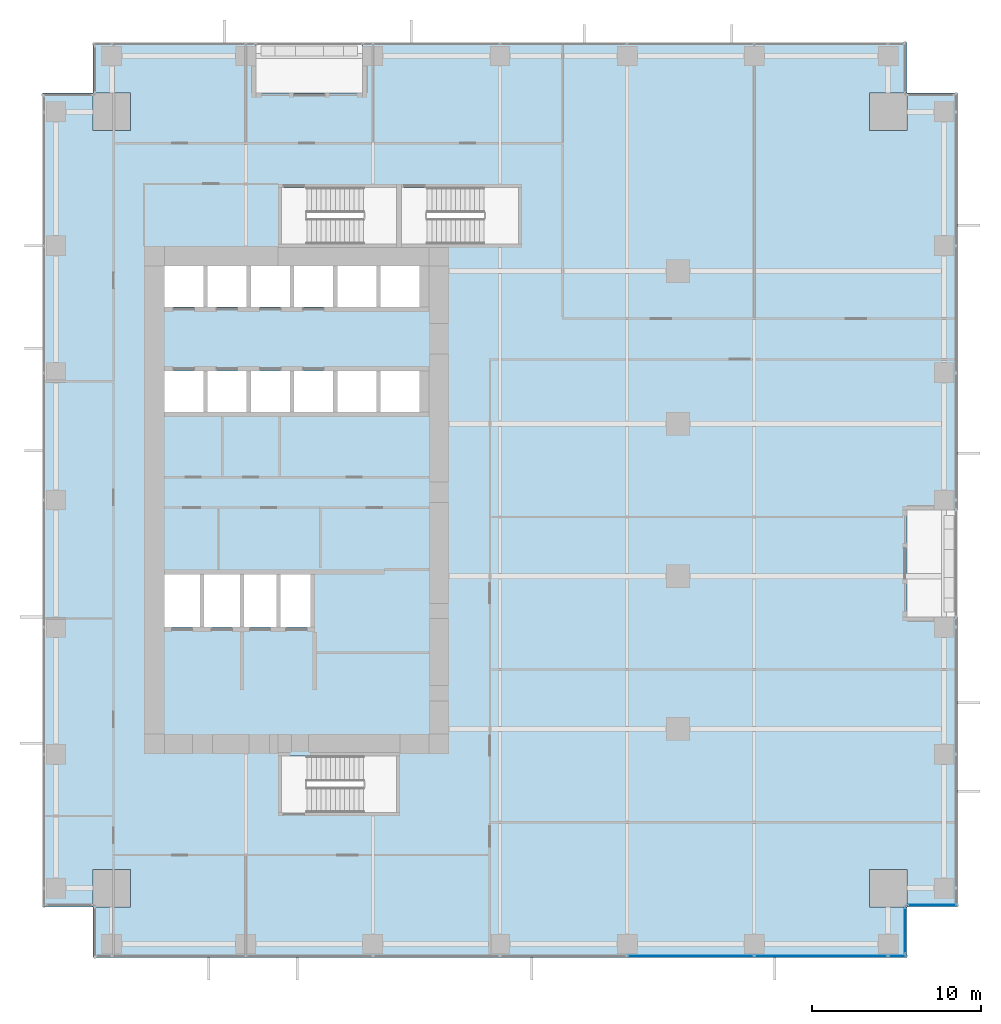
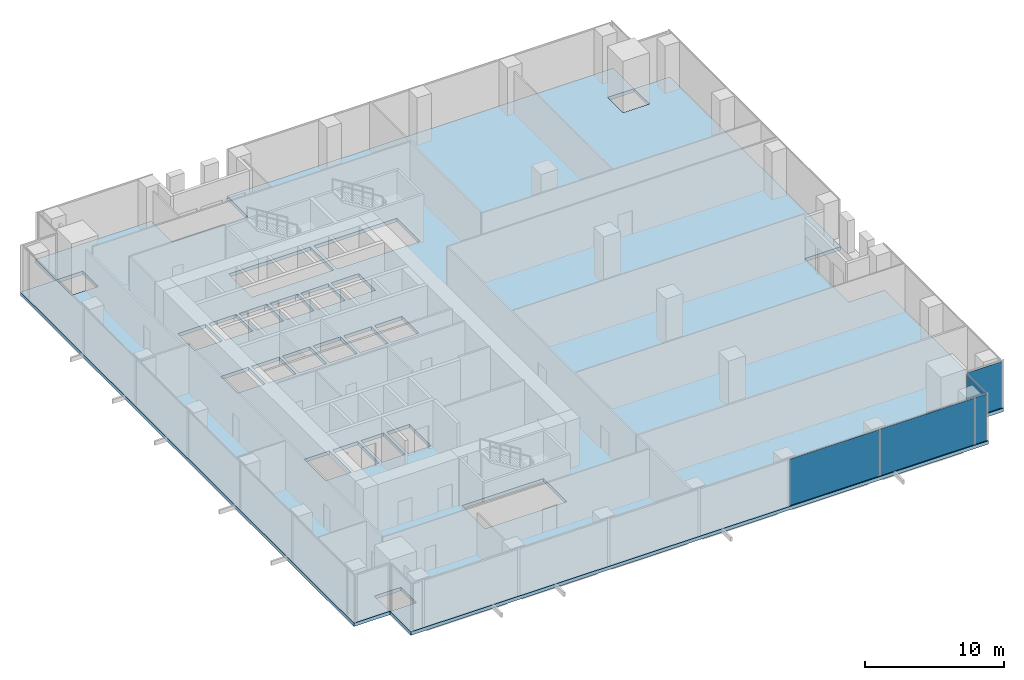
# One storey, part 22 of 32: 5 plates, 1 slab, 3 elements without a shape of their own.
"""IFC4 building model written with IfcOpenShell, lengths in metres."""

from ifc_helpers import new_model, si_unit, direction, frame, origin, origin_2d, place, context, subcontext, project, spatial, polyline, rectangle, outline, extrude, source, transform, mapped, material, layer, layer_set, type_object, element, aggregate, save


model = new_model("IFC4")

# Units and contexts
model_context = context("Model", 3, precision=1e-05, world=origin(), true_north=direction((0.0, 1.0)))
body_context = subcontext(model_context, "Body", "Model", "MODEL_VIEW")
ifc_project = project(units=[si_unit("LENGTHUNIT", "METRE"), si_unit("AREAUNIT", "SQUARE_METRE"), si_unit("VOLUMEUNIT", "CUBIC_METRE"), si_unit("PLANEANGLEUNIT", "RADIAN"), si_unit("MASSUNIT", "GRAM", prefix="KILO")], contexts=[model_context])

# Site, building, storey
site_placement = place(None, origin())
site = spatial("IfcSite", under=ifc_project, at=site_placement, CompositionType="ELEMENT")
building_placement = place(site_placement, origin())
building = spatial("IfcBuilding", under=site, at=building_placement, Name="Khomas Fold Tower", CompositionType="ELEMENT")
storey_placement = place(building_placement, frame((0.0, 0.0, 42.0)))
storey = spatial("IfcBuildingStorey", under=building, at=storey_placement, Name="L08", CompositionType="ELEMENT", Elevation=42.0)

# Slab
ifc_material_1 = material(Name="Concrete C40/50", Category="concrete")
ifc_layer_1 = layer(ifc_material_1, 0.300048828125)
ifc_layer_set_1 = layer_set([ifc_layer_1], Name="Concrete C40/50")
slab_type = type_object("IfcSlabType", Name="RC floor slab 300", PredefinedType="FLOOR", material=ifc_layer_set_1)
shared_shape_1 = source(origin(), body_context, "Body", "SweptSolid", [
    extrude(outline(polyline([(0.0, 3.0), (2.9951171875, 3.0), (2.9951171875, 5.205078125), (5.205078125, 5.205078125), (5.205078125, 2.9951171875), (3.0, 2.9951171875), (3.0, 0.0), (51.0, 0.0), (51.0, 2.9951171875), (48.794921875, 2.9951171875), (48.794921875, 5.205078125), (51.0048828125, 5.205078125), (51.0048828125, 3.0), (54.0, 3.0), (54.0, 20.10009765625), (51.0, 20.10009765625), (51.0, 26.39990234375), (54.0, 26.39990234375), (54.0, 51.0), (51.0048828125, 51.0), (51.0048828125, 48.794921875), (48.794921875, 48.794921875), (48.794921875, 51.0048828125), (51.0, 51.0048828125), (51.0, 54.0), (18.89990234375, 54.0), (18.89990234375, 51.0), (12.60009765625, 51.0), (12.60009765625, 54.0), (3.0, 54.0), (3.0, 51.0048828125), (5.205078125, 51.0048828125), (5.205078125, 48.794921875), (2.9951171875, 48.794921875), (2.9951171875, 51.0), (0.0, 51.0), (0.0, 3.0)]), holes=[polyline([(7.199951171875, 19.5), (7.199951171875, 22.60009765625), (9.300048828125, 22.60009765625), (9.300048828125, 19.5), (7.199951171875, 19.5)]), polyline([(7.199951171875, 32.199951171875), (7.199951171875, 34.60009765625), (9.5, 34.60009765625), (9.5, 32.199951171875), (7.199951171875, 32.199951171875)]), polyline([(7.199951171875, 38.39990234375), (7.199951171875, 40.800048828125), (9.5, 40.800048828125), (9.5, 38.39990234375), (7.199951171875, 38.39990234375)]), polyline([(9.550048828125, 19.5), (9.550048828125, 22.60009765625), (11.64990234375, 22.60009765625), (11.64990234375, 19.5), (9.550048828125, 19.5)]), polyline([(9.75, 32.199951171875), (9.75, 34.60009765625), (12.050048828125, 34.60009765625), (12.050048828125, 32.199951171875), (9.75, 32.199951171875)]), polyline([(9.75, 38.39990234375), (9.75, 40.800048828125), (12.050048828125, 40.800048828125), (12.050048828125, 38.39990234375), (9.75, 38.39990234375)]), polyline([(11.89990234375, 19.5), (11.89990234375, 22.60009765625), (13.800048828125, 22.60009765625), (13.800048828125, 19.5), (11.89990234375, 19.5)]), polyline([(12.300048828125, 32.199951171875), (12.300048828125, 34.60009765625), (14.60009765625, 34.60009765625), (14.60009765625, 32.199951171875), (12.300048828125, 32.199951171875)]), polyline([(12.300048828125, 38.39990234375), (12.300048828125, 40.800048828125), (14.60009765625, 40.800048828125), (14.60009765625, 38.39990234375), (12.300048828125, 38.39990234375)]), polyline([(14.050048828125, 19.5), (14.050048828125, 22.60009765625), (15.949951171875, 22.60009765625), (15.949951171875, 19.5), (14.050048828125, 19.5)]), polyline([(14.10009765625, 8.550048828125), (14.10009765625, 11.89990234375), (20.89990234375, 11.89990234375), (20.89990234375, 8.550048828125), (14.10009765625, 8.550048828125)]), polyline([(14.10009765625, 42.10009765625), (14.10009765625, 45.449951171875), (20.89990234375, 45.449951171875), (20.89990234375, 42.10009765625), (14.10009765625, 42.10009765625)]), polyline([(14.85009765625, 32.199951171875), (14.85009765625, 34.60009765625), (17.14990234375, 34.60009765625), (17.14990234375, 32.199951171875), (14.85009765625, 32.199951171875)]), polyline([(14.85009765625, 38.39990234375), (14.85009765625, 40.800048828125), (17.14990234375, 40.800048828125), (17.14990234375, 38.39990234375), (14.85009765625, 38.39990234375)]), polyline([(17.39990234375, 32.199951171875), (17.39990234375, 34.60009765625), (19.699951171875, 34.60009765625), (19.699951171875, 32.199951171875), (17.39990234375, 32.199951171875)]), polyline([(17.39990234375, 38.39990234375), (17.39990234375, 40.800048828125), (19.699951171875, 40.800048828125), (19.699951171875, 38.39990234375), (17.39990234375, 38.39990234375)]), polyline([(19.949951171875, 32.199951171875), (19.949951171875, 34.60009765625), (22.25, 34.60009765625), (22.25, 32.199951171875), (19.949951171875, 32.199951171875)]), polyline([(19.949951171875, 38.39990234375), (19.949951171875, 40.800048828125), (22.25, 40.800048828125), (22.25, 38.39990234375), (19.949951171875, 38.39990234375)]), polyline([(21.199951171875, 42.10009765625), (21.199951171875, 45.449951171875), (28.10009765625, 45.449951171875), (28.10009765625, 42.10009765625), (21.199951171875, 42.10009765625)])]), origin(), (0.0, 0.0, 1.0), 0.300048828125),
])
slab_placement = place(storey_placement, frame((0.0, 0.0, -0.300048828125)))
element("IfcSlab", 1, at=slab_placement, inside=storey, type_object=slab_type, Name="S-L08", PredefinedType="FLOOR", context=body_context, shape_type="MappedRepresentation", body=[
    mapped(shared_shape_1, transform((0.0, 0.0, 0.0))),
])

# Curtain wall, plates
ifc_material_2 = material(Name="Aluminium framed double glazing", Category="aluminium")
curtain_wall_type = type_object("IfcCurtainWallType", Name="SK-Unitised clear-glass wall, growing floors CW1", PredefinedType="NOTDEFINED", material=ifc_material_2)
curtain_wall_1_placement = place(storey_placement, origin())
curtain_wall_1 = element("IfcCurtainWall", 2, at=curtain_wall_1_placement, inside=storey, type_object=curtain_wall_type, Name="CW1 run L08 00-0", PredefinedType="NOTDEFINED")
ifc_material_3 = material(Name="Clear double glazed unit")
ifc_layer_2 = layer(ifc_material_3, 0.031982421875)
ifc_layer_set_2 = layer_set([ifc_layer_2], Name="Clear double glazed unit")
plate_type = type_object("IfcPlateType", Name="SK-Unitised clear-glass wall, growing floors glass panel CW1-P", PredefinedType="CURTAIN_PANEL", material=ifc_layer_set_2)
shared_shape_2 = source(origin(), body_context, "Body", "SweptSolid", [
    extrude(rectangle(XDim=7.840087890625, YDim=0.031982421875, at=origin_2d()), origin(), (0.0, 0.0, 1.0), 4.080078125),
])
plate_1_placement = place(storey_placement, frame((45.949951171875, 0.10009765625, 0.0), z_axis=(0.0, 0.0, 1.0), x_axis=(1.0, 0.0, 0.0)))
plate_1 = element("IfcPlate", 3, at=plate_1_placement, type_object=plate_type, Name="CW1 glass panel 7", PredefinedType="CURTAIN_PANEL", context=body_context, shape_type="MappedRepresentation", body=[
    mapped(shared_shape_2, transform((0.0, 0.0, 0.0))),
])
shared_shape_3 = source(origin(), body_context, "Body", "SweptSolid", [
    extrude(rectangle(XDim=7.43994140625, YDim=0.031982421875, at=origin_2d()), origin(), (0.0, 0.0, 1.0), 4.080078125),
])
plate_2_placement = place(storey_placement, frame((38.25, 0.10009765625, 0.0), z_axis=(0.0, 0.0, 1.0), x_axis=(1.0, 0.0, 0.0)))
plate_2 = element("IfcPlate", 4, at=plate_2_placement, type_object=plate_type, Name="CW1 glass panel 6", PredefinedType="CURTAIN_PANEL", context=body_context, shape_type="MappedRepresentation", body=[
    mapped(shared_shape_3, transform((0.0, 0.0, 0.0))),
])
shared_shape_4 = source(origin(), body_context, "Body", "SweptSolid", [
    extrude(rectangle(XDim=1.010009765625, YDim=0.031982421875, at=origin_2d()), origin(), (0.0, 0.0, 1.0), 4.080078125),
])
plate_3_placement = place(storey_placement, frame((50.43505859375, 0.10009765625, 0.0), z_axis=(0.0, 0.0, 1.0), x_axis=(1.0, 0.0, 0.0)))
plate_3 = element("IfcPlate", 5, at=plate_3_placement, type_object=plate_type, Name="CW1 glass panel 8", PredefinedType="CURTAIN_PANEL", context=body_context, shape_type="MappedRepresentation", body=[
    mapped(shared_shape_4, transform((0.0, 0.0, 0.0))),
])
aggregate(curtain_wall_1, [plate_2, plate_1, plate_3])

# Curtain wall, plate
curtain_wall_2_placement = place(storey_placement, origin())
curtain_wall_2 = element("IfcCurtainWall", 6, at=curtain_wall_2_placement, inside=storey, type_object=curtain_wall_type, Name="CW1 corner return L08 01", PredefinedType="NOTDEFINED")
shared_shape_5 = source(origin(), body_context, "Body", "SweptSolid", [
    extrude(rectangle(XDim=2.679931640625, YDim=0.031982421875, at=origin_2d()), origin(), (0.0, 0.0, 1.0), 4.080078125),
])
plate_4_placement = place(storey_placement, frame((50.89990234375, 1.60009765625, 0.0), z_axis=(0.0, 0.0, 1.0), x_axis=(0.0, 1.0, 0.0)))
plate_4 = element("IfcPlate", 7, at=plate_4_placement, type_object=plate_type, Name="CW1 glass panel 1", PredefinedType="CURTAIN_PANEL", context=body_context, shape_type="MappedRepresentation", body=[
    mapped(shared_shape_5, transform((0.0, 0.0, 0.0))),
])
aggregate(curtain_wall_2, [plate_4])

curtain_wall_3_placement = place(storey_placement, origin())
curtain_wall_3 = element("IfcCurtainWall", 8, at=curtain_wall_3_placement, inside=storey, type_object=curtain_wall_type, Name="CW1 corner return L08 02", PredefinedType="NOTDEFINED")
shared_shape_6 = source(origin(), body_context, "Body", "SweptSolid", [
    extrude(rectangle(XDim=2.8798828125, YDim=0.031982421875, at=origin_2d()), origin(), (0.0, 0.0, 1.0), 4.080078125),
])
plate_5_placement = place(storey_placement, frame((52.5, 3.10009765625, 0.0), z_axis=(0.0, 0.0, 1.0), x_axis=(1.0, 0.0, 0.0)))
plate_5 = element("IfcPlate", 9, at=plate_5_placement, type_object=plate_type, Name="CW1 glass panel 1", PredefinedType="CURTAIN_PANEL", context=body_context, shape_type="MappedRepresentation", body=[
    mapped(shared_shape_6, transform((0.0, 0.0, 0.0))),
])
aggregate(curtain_wall_3, [plate_5])

save(model, "model.ifc")
